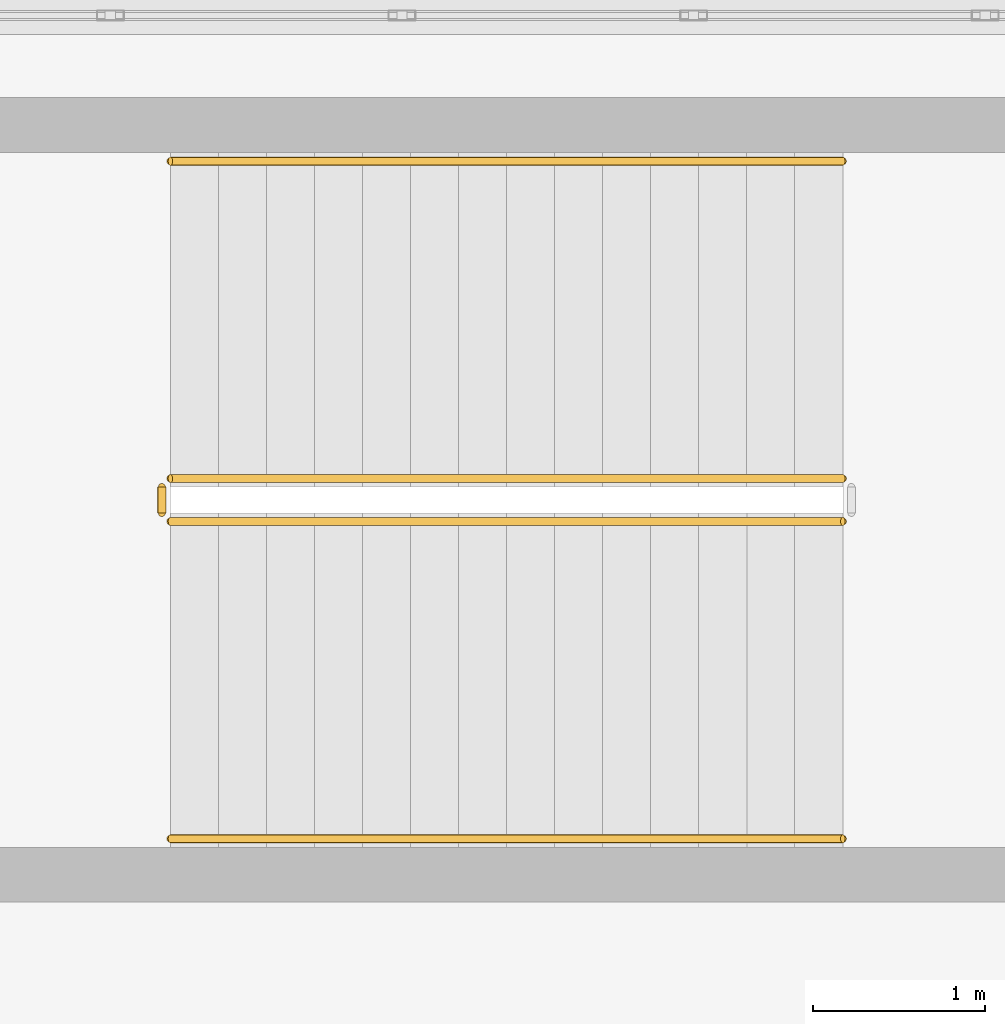
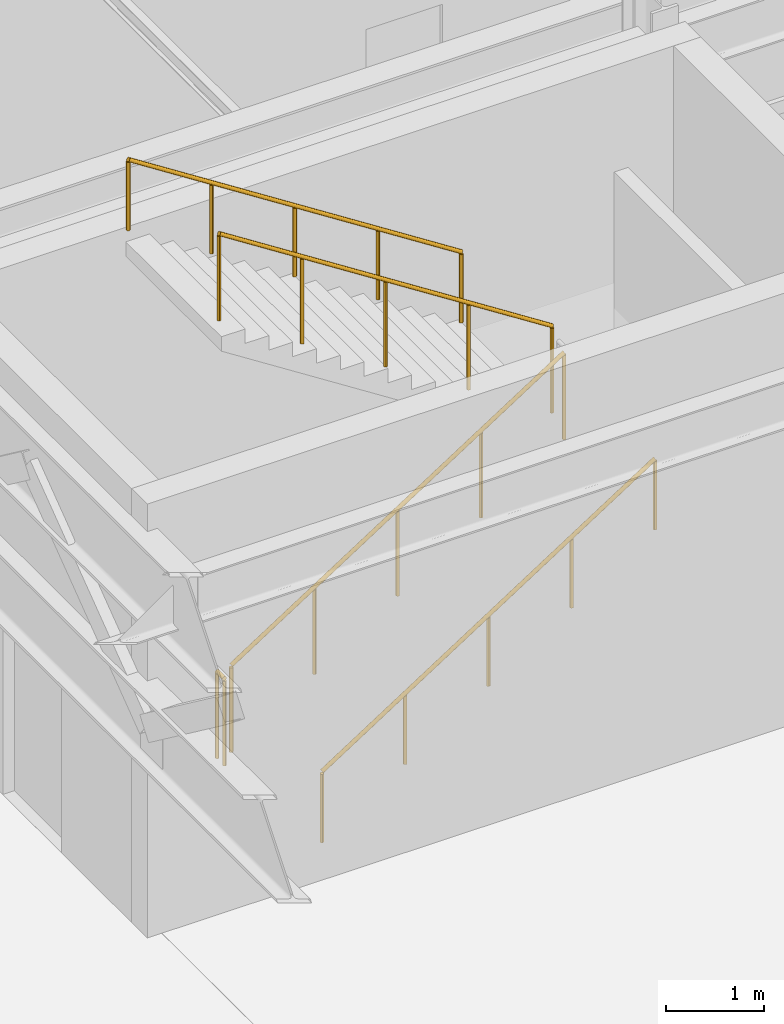
# One storey, part 175 of 210: 5 railings.
"""IFC4 building model written with IfcOpenShell, lengths in metres."""

from ifc_helpers import new_model, si_unit, direction, frame, origin, origin_2d, place, context, subcontext, project, spatial, circle, extrude, material, type_object, element, save


model = new_model("IFC4")

# Units and contexts
model_context = context("Model", 3, precision=1e-05, world=origin(), true_north=direction((0.0, 1.0)))
body_context = subcontext(model_context, "Body", "Model", "MODEL_VIEW")
ifc_project = project(units=[si_unit("LENGTHUNIT", "METRE"), si_unit("AREAUNIT", "SQUARE_METRE"), si_unit("VOLUMEUNIT", "CUBIC_METRE"), si_unit("PLANEANGLEUNIT", "RADIAN"), si_unit("MASSUNIT", "GRAM", prefix="KILO")], contexts=[model_context])

# Site, building, storey
site_placement = place(None, origin())
site = spatial("IfcSite", under=ifc_project, at=site_placement, CompositionType="ELEMENT")
building_placement = place(site_placement, origin())
building = spatial("IfcBuilding", under=site, at=building_placement, Name="Kaldris Quays Convention Centre", CompositionType="ELEMENT")
storey_placement = place(building_placement, frame((0.0, 0.0, 6.0)))
storey = spatial("IfcBuildingStorey", under=building, at=storey_placement, Name="L01", CompositionType="ELEMENT", Elevation=6.0)

# Railings
ifc_material_1 = material(Name="Steel S355J2", Category="steel")
railing_type_1 = type_object("IfcRailingType", Name="INTERIOR GUARDRAIL GR01", PredefinedType="GUARDRAIL", material=ifc_material_1)
railing_1_placement = place(storey_placement, frame((49.300048828125, 43.050048828125, 0.179931640625)))
element("IfcRailing", 1, at=railing_1_placement, inside=storey, type_object=railing_type_1, Name="L01 ST07 Stair Guardrail 1", PredefinedType="GUARDRAIL", context=body_context, shape_type="SweptSolid", body=[
    extrude(circle(Radius=0.02392578125, at=origin_2d()), frame((0.0, 0.0, 1.076171875), z_axis=(0.841171666519, 0.0, 0.540768182723), x_axis=(0.0, 1.0, 0.0)), (0.0, 0.0, 1.0), 4.66015625),
    extrude(circle(Radius=0.02099609375, at=origin_2d()), origin(), (0.0, 0.0, 1.0), 1.052001953125),
    extrude(circle(Radius=0.02099609375, at=origin_2d()), frame((0.97998046875, 0.0, 0.6298828125)), (0.0, 0.0, 1.0), 1.052001953125),
    extrude(circle(Radius=0.02099609375, at=origin_2d()), frame((1.9599609375, 0.0, 1.260009765625)), (0.0, 0.0, 1.0), 1.052001953125),
    extrude(circle(Radius=0.02099609375, at=origin_2d()), frame((2.93994140625, 0.0, 1.89013671875)), (0.0, 0.0, 1.0), 1.052001953125),
    extrude(circle(Radius=0.02099609375, at=origin_2d()), frame((3.919921875, 0.0, 2.52001953125)), (0.0, 0.0, 1.0), 1.052001953125),
])
railing_2_placement = place(storey_placement, frame((53.219970703125, 43.300048828125, 2.8798828125)))
element("IfcRailing", 2, at=railing_2_placement, inside=storey, type_object=railing_type_1, Name="L01 ST07 Stair Guardrail 3", PredefinedType="GUARDRAIL", context=body_context, shape_type="SweptSolid", body=[
    extrude(circle(Radius=0.02392578125, at=origin_2d()), frame((0.0, 0.0, 1.076171875), z_axis=(-0.841171666519, 0.0, 0.540768182723), x_axis=(0.0, -1.0, 0.0)), (0.0, 0.0, 1.0), 4.66015625),
    extrude(circle(Radius=0.02099609375, at=origin_2d()), origin(), (0.0, 0.0, 1.0), 1.052001953125),
    extrude(circle(Radius=0.02099609375, at=origin_2d()), frame((-0.97998046875, 0.0, 0.6298828125)), (0.0, 0.0, 1.0), 1.052001953125),
    extrude(circle(Radius=0.02099609375, at=origin_2d()), frame((-1.9599609375, 0.0, 1.260009765625)), (0.0, 0.0, 1.0), 1.052001953125),
    extrude(circle(Radius=0.02099609375, at=origin_2d()), frame((-2.93994140625, 0.0, 1.89013671875)), (0.0, 0.0, 1.0), 1.052001953125),
    extrude(circle(Radius=0.02099609375, at=origin_2d()), frame((-3.919921875, 0.0, 2.52001953125)), (0.0, 0.0, 1.0), 1.052001953125),
])
railing_3_placement = place(storey_placement, frame((49.25, 43.10009765625, 0.0)))
element("IfcRailing", 3, at=railing_3_placement, inside=storey, type_object=railing_type_1, Name="L01 ST07 Stair Guardrail 4", PredefinedType="GUARDRAIL", context=body_context, shape_type="SweptSolid", body=[
    extrude(circle(Radius=0.02392578125, at=origin_2d()), frame((0.0, 0.0, 1.076171875), z_axis=(0.0, 1.0, 0.0), x_axis=(-1.0, 0.0, 0.0)), (0.0, 0.0, 1.0), 0.14990234375),
    extrude(circle(Radius=0.02099609375, at=origin_2d()), origin(), (0.0, 0.0, 1.0), 1.052001953125),
    extrude(circle(Radius=0.02099609375, at=origin_2d()), frame((0.0, 0.14990234375, 0.0)), (0.0, 0.0, 1.0), 1.052001953125),
])
ifc_material_2 = material(Name="Stainless steel 1.4301", Category="steel")
railing_type_2 = type_object("IfcRailingType", Name="STAIR HANDRAIL HR01", PredefinedType="HANDRAIL", material=ifc_material_2)
railing_4_placement = place(storey_placement, frame((49.300048828125, 41.199951171875, 0.179931640625)))
element("IfcRailing", 4, at=railing_4_placement, inside=storey, type_object=railing_type_2, Name="L01 ST07 Flight Handrail 1", PredefinedType="HANDRAIL", context=body_context, shape_type="SweptSolid", body=[
    extrude(circle(Radius=0.02392578125, at=origin_2d()), frame((0.0, 0.0, 0.8759765625), z_axis=(0.841171666519, 0.0, 0.540768182723), x_axis=(0.0, 1.0, 0.0)), (0.0, 0.0, 1.0), 4.66015625),
    extrude(circle(Radius=0.02099609375, at=origin_2d()), origin(), (0.0, 0.0, 1.0), 0.851806640625),
    extrude(circle(Radius=0.02099609375, at=origin_2d()), frame((0.97998046875, 0.0, 0.6298828125)), (0.0, 0.0, 1.0), 0.851806640625),
    extrude(circle(Radius=0.02099609375, at=origin_2d()), frame((1.9599609375, 0.0, 1.260009765625)), (0.0, 0.0, 1.0), 0.851806640625),
    extrude(circle(Radius=0.02099609375, at=origin_2d()), frame((2.93994140625, 0.0, 1.89013671875)), (0.0, 0.0, 1.0), 0.851806640625),
    extrude(circle(Radius=0.02099609375, at=origin_2d()), frame((3.919921875, 0.0, 2.52001953125)), (0.0, 0.0, 1.0), 0.851806640625),
])
railing_5_placement = place(storey_placement, frame((53.219970703125, 45.14990234375, 2.8798828125)))
element("IfcRailing", 5, at=railing_5_placement, inside=storey, type_object=railing_type_2, Name="L01 ST07 Flight Handrail 2", PredefinedType="HANDRAIL", context=body_context, shape_type="SweptSolid", body=[
    extrude(circle(Radius=0.02392578125, at=origin_2d()), frame((0.0, 0.0, 0.8759765625), z_axis=(-0.841171666519, 0.0, 0.540768182723), x_axis=(0.0, -1.0, 0.0)), (0.0, 0.0, 1.0), 4.66015625),
    extrude(circle(Radius=0.02099609375, at=origin_2d()), origin(), (0.0, 0.0, 1.0), 0.851806640625),
    extrude(circle(Radius=0.02099609375, at=origin_2d()), frame((-0.97998046875, 0.0, 0.6298828125)), (0.0, 0.0, 1.0), 0.851806640625),
    extrude(circle(Radius=0.02099609375, at=origin_2d()), frame((-1.9599609375, 0.0, 1.260009765625)), (0.0, 0.0, 1.0), 0.851806640625),
    extrude(circle(Radius=0.02099609375, at=origin_2d()), frame((-2.93994140625, 0.0, 1.89013671875)), (0.0, 0.0, 1.0), 0.851806640625),
    extrude(circle(Radius=0.02099609375, at=origin_2d()), frame((-3.919921875, 0.0, 2.52001953125)), (0.0, 0.0, 1.0), 0.851806640625),
])

save(model, "model.ifc")
